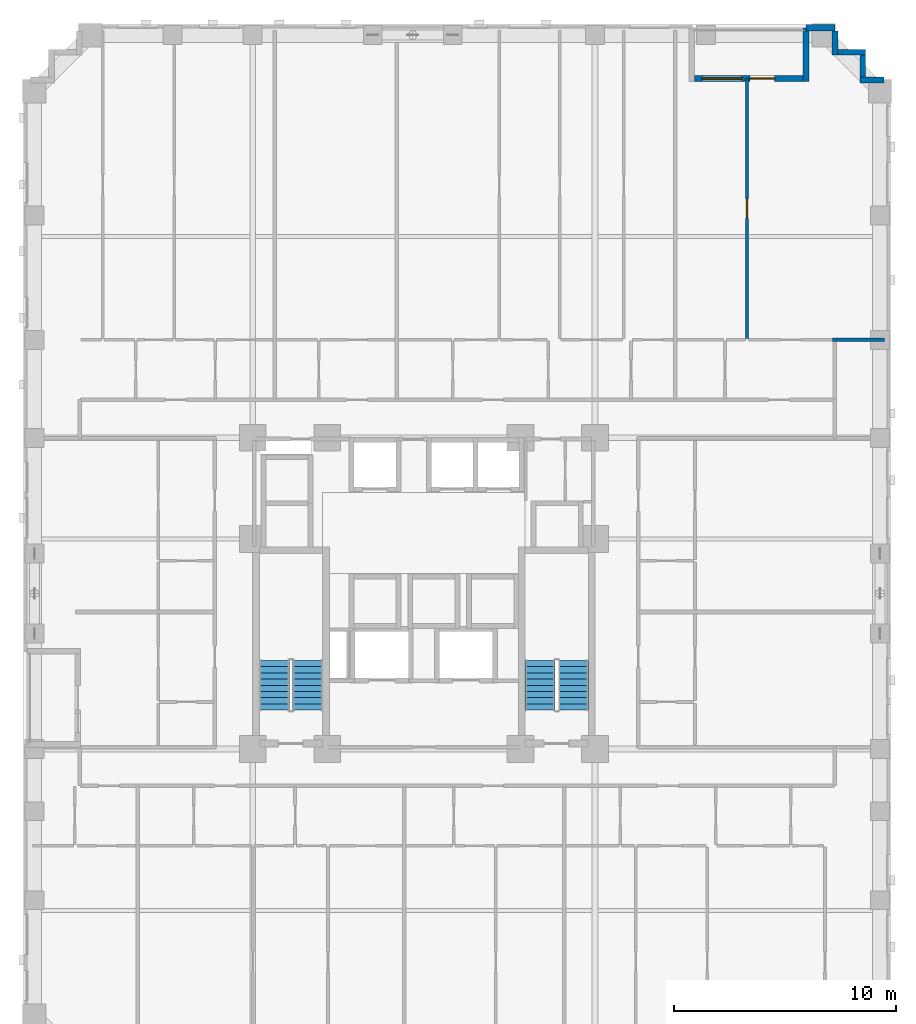
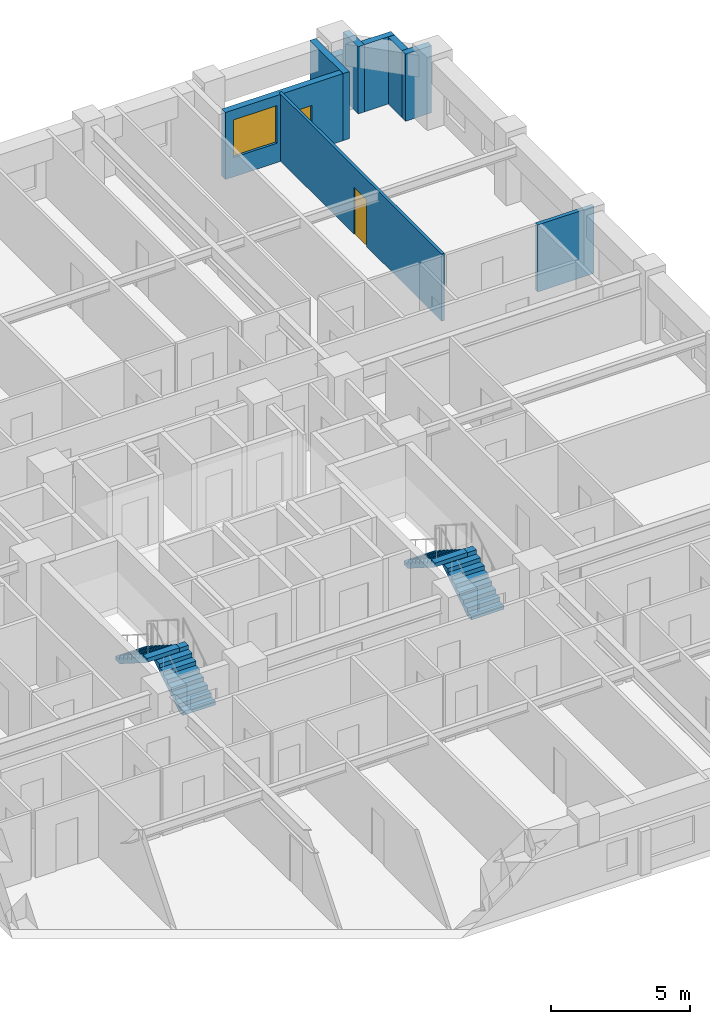
# One storey, part 9 of 14: 9 walls, 4 stair flights, 2 doors, 1 window, 3 openings, 2 elements without a shape of their own.
"""IFC4 building model written with IfcOpenShell, lengths in metres."""

from ifc_helpers import new_model, si_unit, derived_unit, direction, frame, frame_2d, origin, place, context, subcontext, project, spatial, polyline, rectangle, outline, extrude, material, layer, layer_set, type_object, element, fill, aggregate, save


model = new_model("IFC4")

# Units and contexts
model_context = context("Model", 3, precision=1e-05, world=origin(), true_north=direction((0.0, 1.0)))
body_context = subcontext(model_context, "Body", "Model", "MODEL_VIEW")
ifc_project = project(units=[si_unit("LENGTHUNIT", "METRE"), si_unit("AREAUNIT", "SQUARE_METRE"), si_unit("VOLUMEUNIT", "CUBIC_METRE"), si_unit("PLANEANGLEUNIT", "RADIAN"), si_unit("MASSUNIT", "GRAM", prefix="KILO"), derived_unit("THERMALTRANSMITTANCEUNIT", [(si_unit("MASSUNIT", "GRAM", prefix="KILO"), 1), (si_unit("TIMEUNIT", "SECOND"), -3), (si_unit("THERMODYNAMICTEMPERATUREUNIT", "KELVIN"), -1)])], contexts=[model_context])

# Site, building, storey
site_placement = place(None, origin())
site = spatial("IfcSite", under=ifc_project, at=site_placement, CompositionType="ELEMENT")
building_placement = place(site_placement, origin())
building = spatial("IfcBuilding", under=site, at=building_placement, Name="Korrvale Station Residences", CompositionType="ELEMENT")
storey_placement = place(building_placement, frame((0.0, 0.0, 54.60009765625)))
storey = spatial("IfcBuildingStorey", under=building, at=storey_placement, Name="L14", CompositionType="ELEMENT", Elevation=54.60009765625)

# Wall, openings, door, window
ifc_material_1 = material(Name="Precast concrete C45/55", Category="concrete")
ifc_layer_1 = layer(ifc_material_1, 0.260009765625, Name="Precast concrete C45/55")
ifc_layer_set_1 = layer_set([ifc_layer_1], Name="Precast concrete C45/55")
wall_type_1 = type_object("IfcWallType", Name="WAL-EXT-LOG260", PredefinedType="SOLIDWALL", material=ifc_layer_set_1)
wall_1_placement = place(storey_placement, frame((37.68408203125, 45.169921875, 0.0), z_axis=(0.0, 0.0, 1.0), x_axis=(1.0, 0.0, 0.0)))
wall_1 = element("IfcWall", 1, at=wall_1_placement, inside=storey, type_object=wall_type_1, Name="L14 Recessed Loggia Wall BAL-L14-N1-B", PredefinedType="SOLIDWALL", context=body_context, shape_type="SweptSolid", body=[
    extrude(rectangle(XDim=4.8818359375, YDim=0.260009765625, at=frame_2d((2.44091796875, 0.0))), origin(), (0.0, 0.0, 1.0), 2.93994140625),
])
opening_1_placement = place(wall_1_placement, frame((2.49609375, 0.0, 0.0)))
opening_1 = element("IfcOpeningElement", 2, at=opening_1_placement, cuts=wall_1, Name="Opening BD-01", PredefinedType="OPENING", context=body_context, shape_type="SweptSolid", body=[
    extrude(rectangle(XDim=1.10009765625, YDim=2.0, at=frame_2d((0.550048828125, 1.0))), frame((0.0, 0.14013671875, 0.0), z_axis=(0.0, -1.0, 0.0), x_axis=(1.0, 0.0, 0.0)), (0.0, 0.0, 1.0), 0.280029296875),
])
opening_2_placement = place(wall_1_placement, frame((0.3359375, 0.0, 0.85009765625)))
opening_2 = element("IfcOpeningElement", 3, at=opening_2_placement, cuts=wall_1, Name="Opening W-03", PredefinedType="OPENING", context=body_context, shape_type="SweptSolid", body=[
    extrude(rectangle(XDim=1.800048828125, YDim=1.64990234375, at=frame_2d((0.89990234375, 0.824951171875))), frame((0.0, 0.14013671875, 0.0), z_axis=(0.0, -1.0, 0.0), x_axis=(1.0, 0.0, 0.0)), (0.0, 0.0, 1.0), 0.280029296875),
])
ifc_material_2 = material(Name="Exterior thermally broken aluminium glazed balcony door", Category="aluminium")
door_type_1 = type_object("IfcDoorType", Name="DR-EXT-BAL", OperationType="NOTDEFINED", PredefinedType="DOOR", material=ifc_material_2)
door_1_placement = place(opening_1_placement, origin())
door_1 = element("IfcDoor", 4, at=door_1_placement, inside=storey, type_object=door_type_1, Name="L14 Loggia Balcony Door BAL-L14-N1", OperationType="SINGLE_SWING_RIGHT", OverallHeight=2.0, OverallWidth=1.10009765625, PredefinedType="DOOR", context=body_context, shape_type="SweptSolid", body=[
    extrude(rectangle(XDim=1.10009765625, YDim=2.0, at=frame_2d((0.550048828125, 1.0))), frame((0.0, 0.02490234375, 0.0), z_axis=(0.0, -1.0, 0.0), x_axis=(1.0, 0.0, 0.0)), (0.0, 0.0, 1.0), 0.050048828125),
])
fill(opening_1, door_1)
ifc_material_3 = material(Name="Thermally broken aluminium frame with triple low-e glazing", Category="aluminium")
window_type = type_object("IfcWindowType", Name="WIN-W03", PartitioningType="DOUBLE_PANEL_VERTICAL", PredefinedType="WINDOW", material=ifc_material_3)
window_placement = place(opening_2_placement, origin())
window = element("IfcWindow", 5, at=window_placement, inside=storey, type_object=window_type, Name="L14 Punched Window 21", OverallHeight=1.64990234375, OverallWidth=1.800048828125, PartitioningType="DOUBLE_PANEL_VERTICAL", PredefinedType="WINDOW", context=body_context, shape_type="SweptSolid", body=[
    extrude(rectangle(XDim=1.800048828125, YDim=1.64990234375, at=frame_2d((0.89990234375, 0.824951171875))), frame((0.0, 0.030029296875, 0.0), z_axis=(0.0, -1.0, 0.0), x_axis=(1.0, 0.0, 0.0)), (0.0, 0.0, 1.0), 0.06005859375),
])
fill(opening_2, window)

# Walls
wall_2_placement = place(storey_placement, frame((42.699951171875, 45.0400390625, 0.0), z_axis=(0.0, 0.0, 1.0), x_axis=(0.0, 1.0, 0.0)))
element("IfcWall", 6, at=wall_2_placement, inside=storey, type_object=wall_type_1, Name="L14 Recessed Loggia Wall BAL-L14-N1-R", PredefinedType="SOLIDWALL", context=body_context, shape_type="SweptSolid", body=[
    extrude(rectangle(XDim=2.39990234375, YDim=0.260009765625, at=frame_2d((1.199951171875, 0.0))), origin(), (0.0, 0.0, 1.0), 2.93994140625),
])
wall_3_placement = place(storey_placement, frame((44.0, 47.298095703125, 0.0), z_axis=(0.0, 0.0, 1.0), x_axis=(0.0, -1.0, 0.0)))
element("IfcWall", 7, at=wall_3_placement, inside=storey, type_object=wall_type_1, Name="L14 Serrated Corner Precast Step NE-1", PredefinedType="SOLIDWALL", context=body_context, shape_type="SweptSolid", body=[
    extrude(rectangle(XDim=1.078125, YDim=0.260009765625, at=frame_2d((0.5390625, 0.0))), origin(), (0.0, 0.0, 1.0), 2.93994140625),
])
wall_4_placement = place(storey_placement, frame((44.132080078125, 46.35009765625, 0.0), z_axis=(0.0, 0.0, 1.0), x_axis=(1.0, 0.0, 0.0)))
element("IfcWall", 8, at=wall_4_placement, inside=storey, type_object=wall_type_1, Name="L14 Serrated Corner Precast Step NE-2", PredefinedType="SOLIDWALL", context=body_context, shape_type="SweptSolid", body=[
    extrude(rectangle(XDim=1.247802734375, YDim=0.260009765625, at=frame_2d((0.6240234375, 0.0))), origin(), (0.0, 0.0, 1.0), 2.93994140625),
])
wall_5_placement = place(storey_placement, frame((45.25, 46.218017578125, 0.0), z_axis=(0.0, 0.0, 1.0), x_axis=(0.0, -1.0, 0.0)))
element("IfcWall", 9, at=wall_5_placement, inside=storey, type_object=wall_type_1, Name="L14 Serrated Corner Precast Step NE-3", PredefinedType="SOLIDWALL", context=body_context, shape_type="SweptSolid", body=[
    extrude(rectangle(XDim=0.986083984375, YDim=0.260009765625, at=frame_2d((0.4931640625, 0.0))), origin(), (0.0, 0.0, 1.0), 2.93994140625),
])
wall_6_placement = place(storey_placement, frame((45.1201171875, 45.10009765625, 0.0), z_axis=(0.0, 0.0, 1.0), x_axis=(1.0, 0.0, 0.0)))
element("IfcWall", 10, at=wall_6_placement, inside=storey, type_object=wall_type_1, Name="L14 Serrated Corner Precast Step NE-4", PredefinedType="SOLIDWALL", context=body_context, shape_type="SweptSolid", body=[
    extrude(rectangle(XDim=1.077880859375, YDim=0.260009765625, at=frame_2d((0.5390625, 0.0))), origin(), (0.0, 0.0, 1.0), 2.93994140625),
])
ifc_layer_2 = layer(ifc_material_1, 0.300048828125, Name="Precast concrete C45/55")
ifc_layer_set_2 = layer_set([ifc_layer_2], Name="Precast concrete C45/55")
wall_type_2 = type_object("IfcWallType", Name="WAL-EXT-PC300", PredefinedType="SOLIDWALL", material=ifc_layer_set_2)
wall_7_placement = place(storey_placement, frame((42.699951171875, 47.449951171875, 0.0), z_axis=(0.0, 0.0, 1.0), x_axis=(1.0, 0.0, 0.0)))
element("IfcWall", 11, at=wall_7_placement, inside=storey, type_object=wall_type_2, Name="L14 North Exterior Precast Wall 2", PredefinedType="SOLIDWALL", context=body_context, shape_type="SweptSolid", body=[
    extrude(rectangle(XDim=1.300048828125, YDim=0.300048828125, at=frame_2d((0.64990234375, 0.0))), origin(), (0.0, 0.0, 1.0), 1.974853515625),
])

# Wall, opening, door
ifc_material_4 = material(Name="Acoustic steel-stud gypsum board partition", Category="steel")
ifc_layer_3 = layer(ifc_material_4, 0.1201171875, Name="Acoustic steel-stud gypsum board partition")
ifc_layer_set_3 = layer_set([ifc_layer_3], Name="Acoustic steel-stud gypsum board partition")
wall_type_3 = type_object("IfcWallType", Name="WAL-PART-125", PredefinedType="PARTITIONING", material=ifc_layer_set_3)
wall_8_placement = place(storey_placement, frame((40.0400390625, 33.47998046875, 0.0), z_axis=(0.0, 0.0, 1.0), x_axis=(0.0, 1.0, 0.0)))
wall_8 = element("IfcWall", 12, at=wall_8_placement, inside=storey, type_object=wall_type_3, Name="L14 Suite Partition U08-V23", PredefinedType="PARTITIONING", context=body_context, shape_type="SweptSolid", body=[
    extrude(rectangle(XDim=11.68994140625, YDim=0.1201171875, at=frame_2d((5.844970703125, 0.0))), origin(), (0.0, 0.0, 1.0), 2.93994140625),
])
opening_3_placement = place(wall_8_placement, frame((5.39501953125, 0.0, 0.0)))
opening_3 = element("IfcOpeningElement", 13, at=opening_3_placement, cuts=wall_8, Name="Opening DI-900", PredefinedType="OPENING", context=body_context, shape_type="SweptSolid", body=[
    extrude(rectangle(XDim=0.89990234375, YDim=2.050048828125, at=frame_2d((0.449951171875, 1.02490234375))), frame((0.0, 0.070068359375, 0.0), z_axis=(0.0, -1.0, 0.0), x_axis=(1.0, 0.0, 0.0)), (0.0, 0.0, 1.0), 0.14013671875),
])
ifc_material_5 = material(Name="Painted solid-core timber interior room door", Category="wood")
door_type_2 = type_object("IfcDoorType", Name="DR-INT-900", OperationType="NOTDEFINED", PredefinedType="DOOR", material=ifc_material_5)
door_2_placement = place(opening_3_placement, origin())
door_2 = element("IfcDoor", 14, at=door_2_placement, inside=storey, type_object=door_type_2, Name="L14 Studio Apartment L14-U08 Walk-In Wardrobe Door", OperationType="SINGLE_SWING_LEFT", OverallHeight=2.050048828125, OverallWidth=0.89990234375, PredefinedType="DOOR", context=body_context, shape_type="SweptSolid", body=[
    extrude(rectangle(XDim=0.89990234375, YDim=2.050048828125, at=frame_2d((0.449951171875, 1.02490234375))), frame((0.0, 0.02490234375, 0.0), z_axis=(0.0, -1.0, 0.0), x_axis=(1.0, 0.0, 0.0)), (0.0, 0.0, 1.0), 0.050048828125),
])
fill(opening_3, door_2)

# Wall
ifc_material_6 = material(Name="Fire-rated twin-stud gypsum and mineral wool shaftwall assembly", Category="gypsum")
ifc_layer_4 = layer(ifc_material_6, 0.159912109375, Name="Fire-rated twin-stud gypsum and mineral wool shaftwall assembly")
ifc_layer_set_4 = layer_set([ifc_layer_4], Name="Fire-rated twin-stud gypsum and mineral wool shaftwall assembly")
wall_type_4 = type_object("IfcWallType", Name="WAL-PART-200", PredefinedType="PARTITIONING", material=ifc_layer_set_4)
wall_9_placement = place(storey_placement, frame((43.8798828125, 33.419921875, 0.0), z_axis=(0.0, 0.0, 1.0), x_axis=(1.0, 0.0, 0.0)))
element("IfcWall", 15, at=wall_9_placement, inside=storey, type_object=wall_type_4, Name="L14 Corner Step Wall U08-R", PredefinedType="PARTITIONING", context=body_context, shape_type="SweptSolid", body=[
    extrude(rectangle(XDim=2.340087890625, YDim=0.159912109375, at=frame_2d((1.169921875, 0.0))), origin(), (0.0, 0.0, 1.0), 2.93994140625),
])

# Stair, stair flights
ifc_material_7 = material(Name="Concrete C50/60", Category="concrete")
stair_type = type_object("IfcStairType", Name="STR-DL-1350-18R-1778", PredefinedType="HALF_TURN_STAIR", material=ifc_material_7)
stair_1_placement = place(storey_placement, origin())
stair_1 = element("IfcStair", 16, at=stair_1_placement, inside=storey, type_object=stair_type, Name="L14 Exit Stair 1", PredefinedType="HALF_TURN_STAIR")
stair_flight_type = type_object("IfcStairFlightType", Name="FLT-DL-1350-18R-1778", PredefinedType="STRAIGHT", material=ifc_material_7)
stair_flight_1_placement = place(storey_placement, frame((20.27490234375, 16.75, 0.0), z_axis=(0.0, 0.0, 1.0), x_axis=(0.0, 1.0, 0.0)))
stair_flight_1 = element("IfcStairFlight", 17, at=stair_flight_1_placement, type_object=stair_flight_type, Name="ST-1 flight 1", NumberOfRisers=9, NumberOfTreads=8, PredefinedType="STRAIGHT", RiserHeight=0.177777778, TreadLength=0.28, context=body_context, shape_type="SweptSolid", body=[
    extrude(outline(polyline([(0.0, 0.0), (0.0, 0.177734375), (0.280029296875, 0.177734375), (0.280029296875, 0.35546875), (0.56005859375, 0.35546875), (0.56005859375, 0.533447265625), (0.840087890625, 0.533447265625), (0.840087890625, 0.711181640625), (1.1201171875, 0.711181640625), (1.1201171875, 0.888916015625), (1.39990234375, 0.888916015625), (1.39990234375, 1.066650390625), (1.679931640625, 1.066650390625), (1.679931640625, 1.244384765625), (1.9599609375, 1.244384765625), (1.9599609375, 1.422119140625), (2.239990234375, 1.422119140625), (2.239990234375, 1.60009765625), (2.239990234375, 1.24462890625), (0.27978515625, 0.0), (0.0, 0.0)])), frame((0.0, 0.675048828125, 0.0), z_axis=(0.0, -1.0, 0.0), x_axis=(1.0, 0.0, 0.0)), (0.0, 0.0, 1.0), 1.35009765625),
])
stair_flight_2_placement = place(storey_placement, frame((18.77490234375, 18.989990234375, 1.599853515625), z_axis=(0.0, 0.0, 1.0), x_axis=(0.0, -1.0, 0.0)))
stair_flight_2 = element("IfcStairFlight", 18, at=stair_flight_2_placement, type_object=stair_flight_type, Name="ST-1 flight 2", NumberOfRisers=9, NumberOfTreads=8, PredefinedType="STRAIGHT", RiserHeight=0.177777778, TreadLength=0.28, context=body_context, shape_type="SweptSolid", body=[
    extrude(outline(polyline([(0.0, 0.0), (0.0, 0.177734375), (0.280029296875, 0.177734375), (0.280029296875, 0.35546875), (0.56005859375, 0.35546875), (0.56005859375, 0.533447265625), (0.840087890625, 0.533447265625), (0.840087890625, 0.711181640625), (1.1201171875, 0.711181640625), (1.1201171875, 0.888916015625), (1.39990234375, 0.888916015625), (1.39990234375, 1.066650390625), (1.679931640625, 1.066650390625), (1.679931640625, 1.244384765625), (1.9599609375, 1.244384765625), (1.9599609375, 1.422119140625), (2.239990234375, 1.422119140625), (2.239990234375, 1.60009765625), (2.239990234375, 1.24462890625), (0.27978515625, 0.0), (0.0, 0.0)])), frame((0.0, 0.675048828125, 0.0), z_axis=(0.0, -1.0, 0.0), x_axis=(1.0, 0.0, 0.0)), (0.0, 0.0, 1.0), 1.35009765625),
])
aggregate(stair_1, [stair_flight_1, stair_flight_2])

stair_2_placement = place(storey_placement, origin())
stair_2 = element("IfcStair", 19, at=stair_2_placement, inside=storey, type_object=stair_type, Name="L14 Exit Stair 2", PredefinedType="HALF_TURN_STAIR")
stair_flight_3_placement = place(storey_placement, frame((32.22509765625, 16.75, 0.0), z_axis=(0.0, 0.0, 1.0), x_axis=(0.0, 1.0, 0.0)))
stair_flight_3 = element("IfcStairFlight", 20, at=stair_flight_3_placement, type_object=stair_flight_type, Name="ST-2 flight 1", NumberOfRisers=9, NumberOfTreads=8, PredefinedType="STRAIGHT", RiserHeight=0.177777778, TreadLength=0.28, context=body_context, shape_type="SweptSolid", body=[
    extrude(outline(polyline([(0.0, 0.0), (0.0, 0.177734375), (0.280029296875, 0.177734375), (0.280029296875, 0.35546875), (0.56005859375, 0.35546875), (0.56005859375, 0.533447265625), (0.840087890625, 0.533447265625), (0.840087890625, 0.711181640625), (1.1201171875, 0.711181640625), (1.1201171875, 0.888916015625), (1.39990234375, 0.888916015625), (1.39990234375, 1.066650390625), (1.679931640625, 1.066650390625), (1.679931640625, 1.244384765625), (1.9599609375, 1.244384765625), (1.9599609375, 1.422119140625), (2.239990234375, 1.422119140625), (2.239990234375, 1.60009765625), (2.239990234375, 1.24462890625), (0.27978515625, 0.0), (0.0, 0.0)])), frame((0.0, 0.675048828125, 0.0), z_axis=(0.0, -1.0, 0.0), x_axis=(1.0, 0.0, 0.0)), (0.0, 0.0, 1.0), 1.35009765625),
])
stair_flight_4_placement = place(storey_placement, frame((30.72509765625, 18.989990234375, 1.599853515625), z_axis=(0.0, 0.0, 1.0), x_axis=(0.0, -1.0, 0.0)))
stair_flight_4 = element("IfcStairFlight", 21, at=stair_flight_4_placement, type_object=stair_flight_type, Name="ST-2 flight 2", NumberOfRisers=9, NumberOfTreads=8, PredefinedType="STRAIGHT", RiserHeight=0.177777778, TreadLength=0.28, context=body_context, shape_type="SweptSolid", body=[
    extrude(outline(polyline([(0.0, 0.0), (0.0, 0.177734375), (0.280029296875, 0.177734375), (0.280029296875, 0.35546875), (0.56005859375, 0.35546875), (0.56005859375, 0.533447265625), (0.840087890625, 0.533447265625), (0.840087890625, 0.711181640625), (1.1201171875, 0.711181640625), (1.1201171875, 0.888916015625), (1.39990234375, 0.888916015625), (1.39990234375, 1.066650390625), (1.679931640625, 1.066650390625), (1.679931640625, 1.244384765625), (1.9599609375, 1.244384765625), (1.9599609375, 1.422119140625), (2.239990234375, 1.422119140625), (2.239990234375, 1.60009765625), (2.239990234375, 1.24462890625), (0.27978515625, 0.0), (0.0, 0.0)])), frame((0.0, 0.675048828125, 0.0), z_axis=(0.0, -1.0, 0.0), x_axis=(1.0, 0.0, 0.0)), (0.0, 0.0, 1.0), 1.35009765625),
])
aggregate(stair_2, [stair_flight_3, stair_flight_4])

save(model, "model.ifc")
